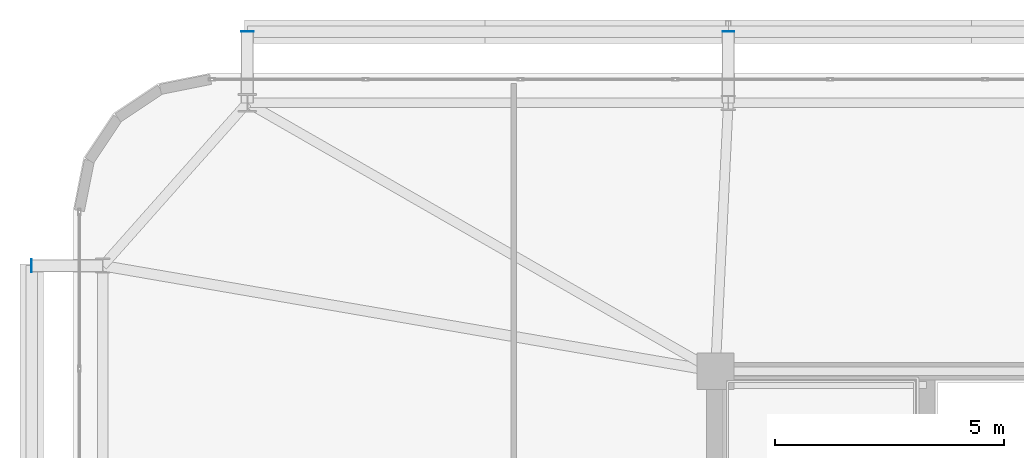
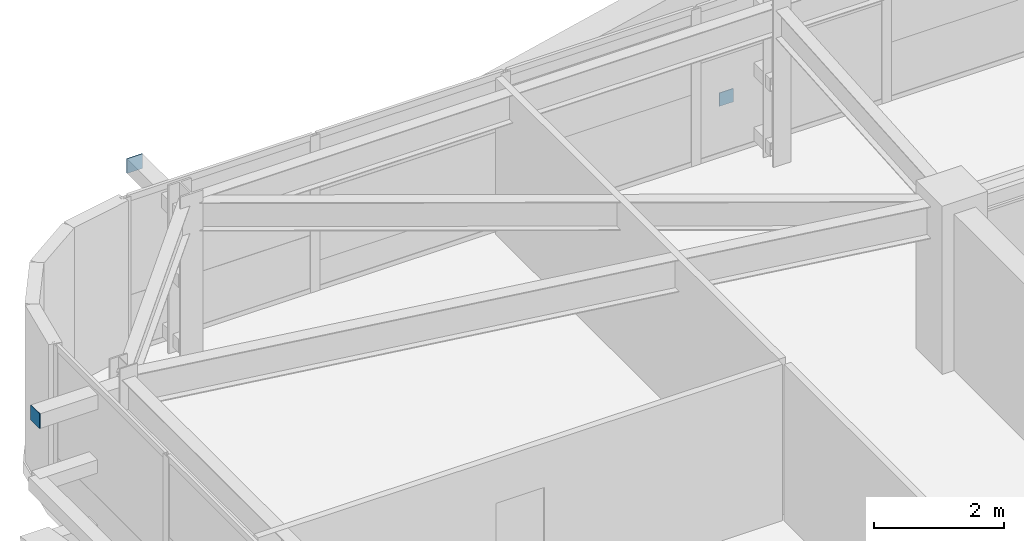
# One storey, part 49 of 59: 3 plates.
"""IFC4 building model written with IfcOpenShell, lengths in metres."""

from ifc_helpers import new_model, si_unit, direction, frame, origin, origin_2d, place, context, subcontext, project, spatial, rectangle, extrude, source, transform, mapped, material, layer, layer_set, type_object, element, save


model = new_model("IFC4")

# Units and contexts
model_context = context("Model", 3, precision=1e-05, world=origin(), true_north=direction((0.0, 1.0)))
body_context = subcontext(model_context, "Body", "Model", "MODEL_VIEW")
ifc_project = project(units=[si_unit("LENGTHUNIT", "METRE"), si_unit("AREAUNIT", "SQUARE_METRE"), si_unit("VOLUMEUNIT", "CUBIC_METRE"), si_unit("PLANEANGLEUNIT", "RADIAN"), si_unit("MASSUNIT", "GRAM", prefix="KILO")], contexts=[model_context])

# Site, building, storey
site_placement = place(None, origin())
site = spatial("IfcSite", under=ifc_project, at=site_placement, CompositionType="ELEMENT")
building_placement = place(site_placement, origin())
building = spatial("IfcBuilding", under=site, at=building_placement, Name="Taldren Reach Tower", CompositionType="ELEMENT")
storey_placement = place(building_placement, frame((0.0, 0.0, 29.39990234375)))
storey = spatial("IfcBuildingStorey", under=building, at=storey_placement, Name="L08", CompositionType="ELEMENT", Elevation=29.39990234375)

# Plates
ifc_material_1 = material(Name="Steel Gr 450 (C450L0)", Category="steel")
ifc_layer_1 = layer(ifc_material_1, 0.011962890625)
ifc_layer_set_1 = layer_set([ifc_layer_1], Name="Steel Gr 450 (C450L0)")
plate_type_1 = type_object("IfcPlateType", Name="PL-CAP-275", PredefinedType="SHEET", material=ifc_layer_set_1)
shared_shape_1 = source(origin(), body_context, "Body", "SweptSolid", [
    extrude(rectangle(XDim=0.27490234375, YDim=0.011962890625, at=origin_2d()), origin(), (0.0, 0.0, 1.0), 0.27490234375),
])
plate_1_placement = place(storey_placement, frame((8.800048828125, 39.406005859375, 2.5126953125), z_axis=(0.0, 0.0, 1.0), x_axis=(1.0, 0.0, 0.0)))
element("IfcPlate", 1, at=plate_1_placement, inside=storey, type_object=plate_type_1, Name="Tie strut end cap plate B1-N1 L08", PredefinedType="SHEET", context=body_context, shape_type="MappedRepresentation", body=[
    mapped(shared_shape_1, transform((0.0, 0.0, 0.0), scale=1.0)),
])
shared_shape_2 = source(origin(), body_context, "Body", "SweptSolid", [
    extrude(rectangle(XDim=0.011962890625, YDim=0.27490234375, at=origin_2d()), origin(), (0.0, 0.0, 1.0), 0.27490234375),
])
plate_2_placement = place(storey_placement, frame((4.093994140625, 34.300048828125, 2.5126953125), z_axis=(0.0, 0.0, 1.0), x_axis=(1.0, 0.0, 0.0)))
element("IfcPlate", 2, at=plate_2_placement, inside=storey, type_object=plate_type_1, Name="Tie strut end cap plate B1-W3 L08", PredefinedType="SHEET", context=body_context, shape_type="MappedRepresentation", body=[
    mapped(shared_shape_2, transform((0.0, 0.0, 0.0), scale=1.0)),
])
ifc_material_2 = material(Name="Steel Gr 350 (C350L0)", Category="steel")
ifc_layer_2 = layer(ifc_material_2, 0.011962890625)
ifc_layer_set_2 = layer_set([ifc_layer_2], Name="Steel Gr 350 (C350L0)")
plate_type_2 = type_object("IfcPlateType", Name="PL-CAP-250", PredefinedType="SHEET", material=ifc_layer_set_2)
shared_shape_3 = source(origin(), body_context, "Body", "SweptSolid", [
    extrude(rectangle(XDim=0.25, YDim=0.011962890625, at=origin_2d()), origin(), (0.0, 0.0, 1.0), 0.25),
])
plate_3_placement = place(storey_placement, frame((19.280029296875, 39.406005859375, 0.09521484375), z_axis=(0.0, 0.0, 1.0), x_axis=(1.0, 0.0, 0.0)))
element("IfcPlate", 3, at=plate_3_placement, inside=storey, type_object=plate_type_2, Name="Tie strut end cap plate B1-N2 L08", PredefinedType="SHEET", context=body_context, shape_type="MappedRepresentation", body=[
    mapped(shared_shape_3, transform((0.0, 0.0, 0.0), scale=1.0)),
])

save(model, "model.ifc")
